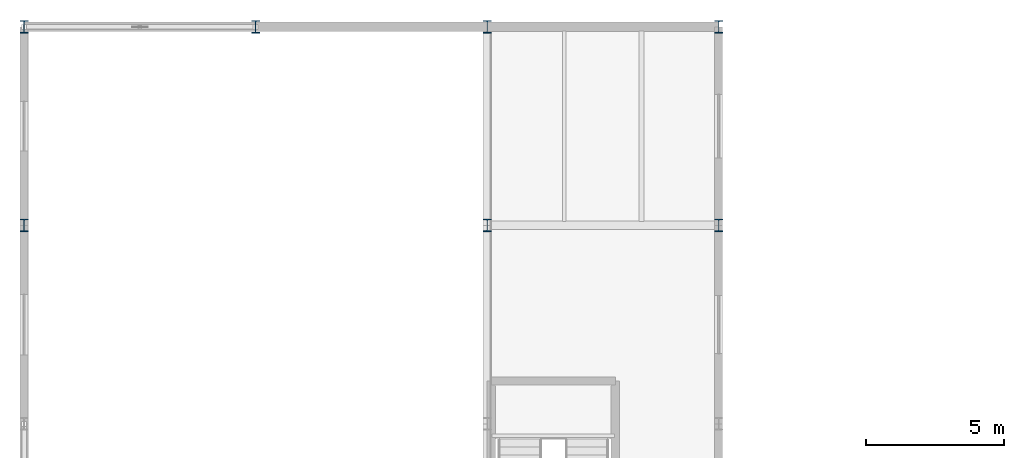
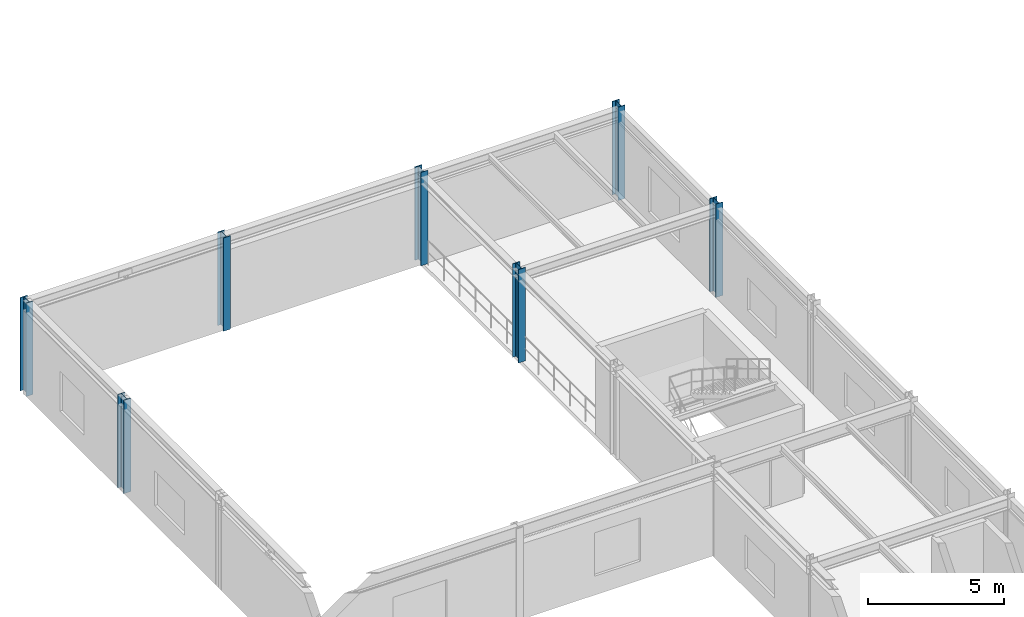
# One storey, part 11 of 109: 7 columns.
"""IFC4 building model written with IfcOpenShell, lengths in metres."""

from ifc_helpers import new_model, si_unit, derived_unit, direction, frame, origin, origin_2d, place, context, subcontext, project, spatial, i_section, extrude, material, material_profile, profile_set, type_object, element, save


model = new_model("IFC4")

# Units and contexts
model_context = context("Model", 3, precision=1e-05, world=origin(), true_north=direction((0.0, 1.0)))
body_context = subcontext(model_context, "Body", "Model", "MODEL_VIEW")
ifc_project = project(units=[si_unit("LENGTHUNIT", "METRE"), si_unit("AREAUNIT", "SQUARE_METRE"), si_unit("VOLUMEUNIT", "CUBIC_METRE"), si_unit("PLANEANGLEUNIT", "RADIAN"), si_unit("MASSUNIT", "GRAM", prefix="KILO"), derived_unit("THERMALTRANSMITTANCEUNIT", [(si_unit("MASSUNIT", "GRAM", prefix="KILO"), 1), (si_unit("TIMEUNIT", "SECOND"), -3), (si_unit("THERMODYNAMICTEMPERATUREUNIT", "KELVIN"), -1)])], contexts=[model_context])

# Site, building, storey
site_placement = place(None, origin())
site = spatial("IfcSite", under=ifc_project, at=site_placement, CompositionType="ELEMENT")
building_placement = place(site_placement, origin())
building = spatial("IfcBuilding", under=site, at=building_placement, Name="Kharveza Railside Sports Centre", CompositionType="ELEMENT")
storey_placement = place(building_placement, frame((0.0, 0.0, 4.5)))
storey = spatial("IfcBuildingStorey", under=building, at=storey_placement, Name="L01", CompositionType="ELEMENT", Elevation=4.5)

# Columns
ifc_material = material(Name="Steel S355J2", Category="steel")
ifc_material_profile = material_profile(ifc_material, i_section(OverallWidth=0.300048828125, OverallDepth=0.449951171875, WebThickness=0.013916015625, FlangeThickness=0.02587890625, FilletRadius=0.027099609375, at=origin_2d()), Name="HEB 450")
ifc_profile_set = profile_set([ifc_material_profile], Name="Steel S355J2")
column_type = type_object("IfcColumnType", Name="COL-S04", PredefinedType="COLUMN", material=ifc_profile_set)
for number, where, z_axis, x_axis, name in (
    (1, (0.0, 100.800048828125, 0.0), (0.0, 0.0, 1.0), (1.0, 0.0, 0.0), "COL-G-C04-X0-Y1008-L01"),
    (2, (0.0, 108.0, 0.0), (0.0, 0.0, 1.0), (1.0, 0.0, 0.0), "COL-G-C04-X0-Y1080-L01"),
    (3, (8.39990234375, 108.0, 0.0), (0.0, 0.0, 1.0), (1.0, 0.0, 0.0), "COL-G-C04-X84-Y1080-L01"),
    (4, (16.800048828125, 100.800048828125, 0.0), (0.0, 0.0, 1.0), (1.0, 0.0, 0.0), "COL-G-C04-X168-Y1008-L01"),
    (5, (16.800048828125, 108.0, 0.0), (0.0, 0.0, 1.0), (1.0, 0.0, 0.0), "COL-G-C04-X168-Y1080-L01"),
    (6, (25.199951171875, 100.800048828125, 0.0), (0.0, 0.0, 1.0), (1.0, 0.0, 0.0), "COL-G-C04-X252-Y1008-L01"),
    (7, (25.199951171875, 108.0, 0.0), (0.0, 0.0, 1.0), (1.0, 0.0, 0.0), "COL-G-C04-X252-Y1080-L01"),
):
    element("IfcColumn", number, at=place(storey_placement, frame(where, z_axis=z_axis, x_axis=x_axis)), inside=storey, type_object=column_type, Name=name, PredefinedType="COLUMN", context=body_context, shape_type="SweptSolid", body=[
        extrude(i_section(OverallWidth=0.300048828125, OverallDepth=0.449951171875, WebThickness=0.013916015625, FlangeThickness=0.02587890625, FilletRadius=0.027099609375, at=origin_2d()), origin(), (0.0, 0.0, 1.0), 4.199951171875),
    ])

save(model, "model.ifc")
